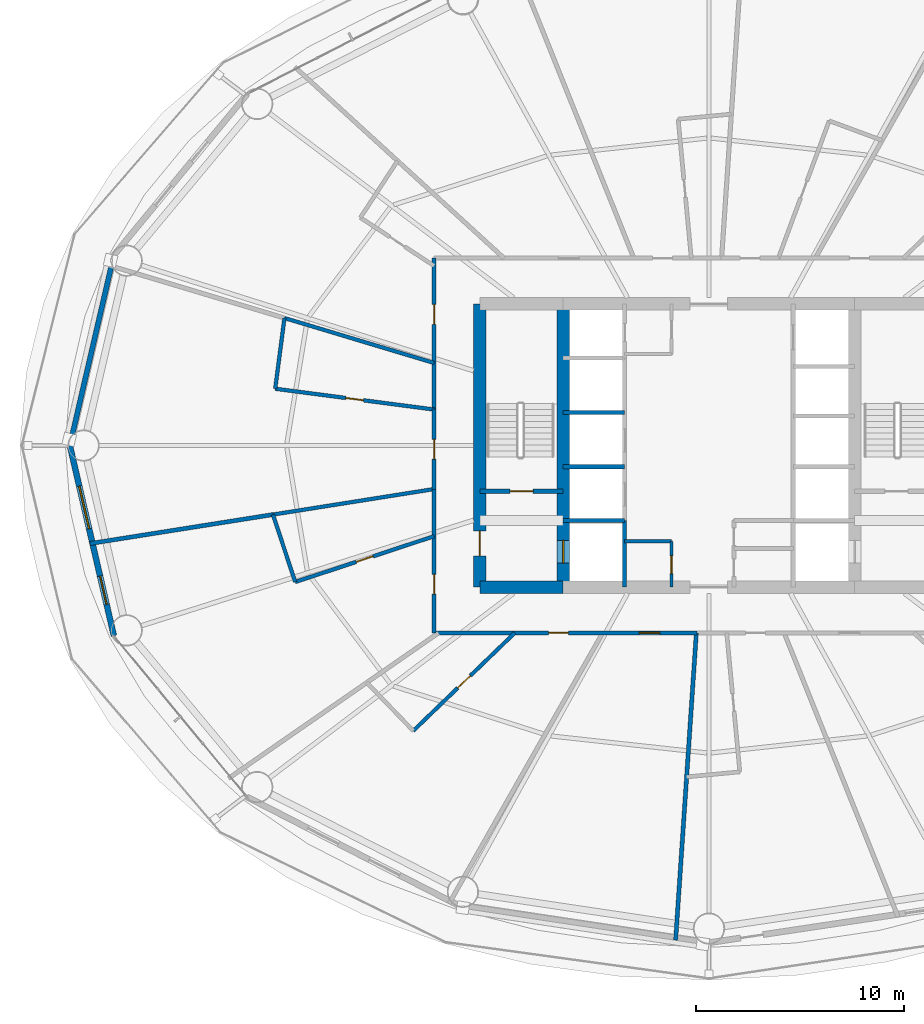
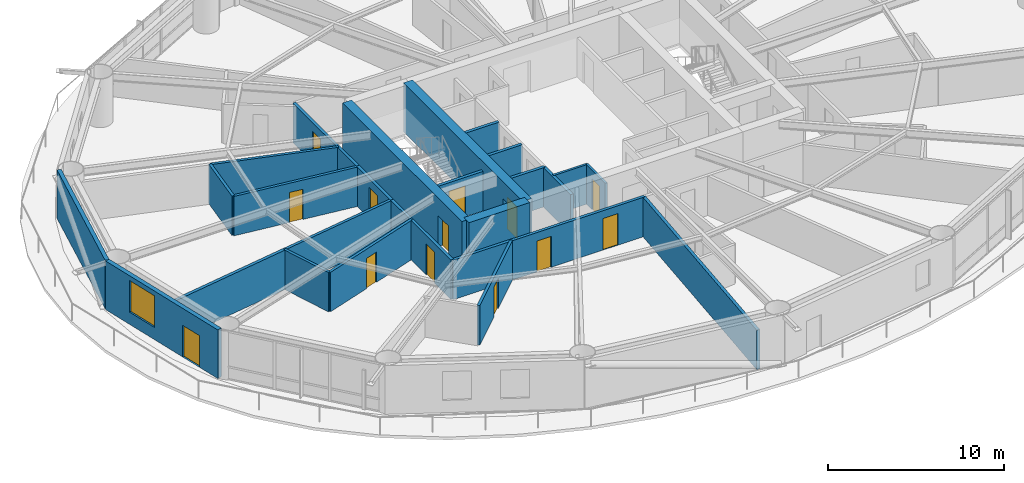
# One storey, part 20 of 26: 25 walls, 13 doors, 1 window, 14 openings.
"""IFC4 building model written with IfcOpenShell, lengths in metres."""

import ifcopenshell
import ifcopenshell.guid

model = None  # the IFC model being written
_history = None  # IfcOwnerHistory: only IFC2X3 demands one
_inside = {}  # id of a spatial element -> (the spatial element, [elements in it])
_under = {}  # id of a project, library or spatial element -> (it, [spatial elements below it])
_declared = {}  # id of a project -> (the project, [libraries it declares])
_typed = {}  # id of a type object -> (the type object, [elements of that type])
_made_of = {}  # id of a material, layer set ... -> (it, [elements and type objects made of it])


def new_model(schema):
    """Start an empty IFC model of exactly this schema.

    Asked for "IFC4X3", IfcOpenShell would pick the latest addendum, in which some entities
    have other attributes; the version numbers below select the first issue.
    IFC2X3 requires an IfcOwnerHistory on every rooted entity: one is made here for all.
    """
    global model, _history
    if schema == "IFC4X3":
        model = ifcopenshell.file(schema_version=(4, 3, 0, 0))
    else:
        model = ifcopenshell.file(schema=schema)
    _inside.clear()
    _under.clear()
    _declared.clear()
    _typed.clear()
    _made_of.clear()
    _history = None
    if model.schema == "IFC2X3":
        org = make("IfcOrganization", Name="unknown")
        user = make(
            "IfcPersonAndOrganization",
            ThePerson=make("IfcPerson", FamilyName="unknown"),
            TheOrganization=org,
        )
        app = make(
            "IfcApplication",
            ApplicationDeveloper=org,
            Version="unknown",
            ApplicationFullName="unknown",
            ApplicationIdentifier="unknown",
        )
        _history = make(
            "IfcOwnerHistory",
            OwningUser=user,
            OwningApplication=app,
            ChangeAction="ADDED",
            CreationDate=0,
        )
    return model


def make(cls, **values):
    """One entity of the class cls with the attributes given. An attribute that is None is left unset."""
    return model.create_entity(
        cls, **{name: value for name, value in values.items() if value is not None}
    )


def rooted(cls, **values):
    """An entity with a GlobalId (a new one), such as an element, a storey or a relation."""
    return make(cls, GlobalId=ifcopenshell.guid.new(), OwnerHistory=_history, **values)


def si_unit(unit_type, name, prefix=None):
    """IfcSIUnit, for example si_unit("LENGTHUNIT", "METRE", prefix="MILLI")."""
    return make("IfcSIUnit", UnitType=unit_type, Prefix=prefix, Name=name)


def assignment(units):
    """IfcUnitAssignment: the units of a project."""
    return None if units is None else make("IfcUnitAssignment", Units=units)


def point(xyz):
    """IfcCartesianPoint."""
    return None if xyz is None else make("IfcCartesianPoint", Coordinates=xyz)


def direction(xyz):
    """IfcDirection."""
    return None if xyz is None else make("IfcDirection", DirectionRatios=xyz)


def frame(location, z_axis=None, x_axis=None):
    """IfcAxis2Placement3D, a coordinate frame: its origin and axes. An axis left out is left unset."""
    return make(
        "IfcAxis2Placement3D",
        Location=point(location),
        Axis=direction(z_axis),
        RefDirection=direction(x_axis),
    )


def frame_2d(location, x_axis=None):
    """IfcAxis2Placement2D, a coordinate frame in the plane: its origin and x axis."""
    return make(
        "IfcAxis2Placement2D", Location=point(location), RefDirection=direction(x_axis)
    )


def origin():
    """The frame at (0, 0, 0) with its axes left unset."""
    return frame((0.0, 0.0, 0.0))


def place(relative_to, where):
    """IfcLocalPlacement: puts the frame where relative to a parent placement (None: the world)."""
    return make(
        "IfcLocalPlacement", PlacementRelTo=relative_to, RelativePlacement=where
    )


def context(
    kind, dimensions, precision=None, world=None, true_north=None, identifier=None
):
    """IfcGeometricRepresentationContext, for example the 3D "Model" context."""
    return make(
        "IfcGeometricRepresentationContext",
        ContextIdentifier=identifier,
        ContextType=kind,
        CoordinateSpaceDimension=dimensions,
        Precision=precision,
        WorldCoordinateSystem=world,
        TrueNorth=true_north,
    )


def subcontext(parent, identifier, kind, view, scale=None):
    """IfcGeometricRepresentationSubContext, for example "Body" below "Model"."""
    return make(
        "IfcGeometricRepresentationSubContext",
        ContextIdentifier=identifier,
        ContextType=kind,
        ParentContext=parent,
        TargetScale=scale,
        TargetView=view,
    )


def project(units=None, contexts=None):
    """IfcProject with its units and contexts."""
    return rooted(
        "IfcProject",
        Name="project",
        RepresentationContexts=contexts,
        UnitsInContext=assignment(units),
    )


def spatial(cls, under=None, at=None, **own):
    """A site, building, storey or space (cls), placed at a placement, below another one or the project."""
    s = rooted(cls, ObjectPlacement=at, **own)
    if under is not None:
        _under.setdefault(under.id(), (under, []))[1].append(s)
    return s


def profile(cls, at=None, kind="AREA", **sizes):
    """A parametric profile (cls). Its sizes go by their IFC names, for example OverallWidth=200.0."""
    return make(cls, ProfileType=kind, Position=at, **sizes)


def rectangle(**sizes):
    """IfcRectangleProfileDef."""
    return profile("IfcRectangleProfileDef", **sizes)


def extrude(swept, where, along, depth):
    """IfcExtrudedAreaSolid: the profile swept, set in the frame where, extruded along a direction by depth."""
    return make(
        "IfcExtrudedAreaSolid",
        SweptArea=swept,
        Position=where,
        ExtrudedDirection=direction(along),
        Depth=depth,
    )


def shape(context_of_items, identifier, shape_type, items):
    """IfcShapeRepresentation: the items that make up one representation, for example the "Body"."""
    return make(
        "IfcShapeRepresentation",
        ContextOfItems=context_of_items,
        RepresentationIdentifier=identifier,
        RepresentationType=shape_type,
        Items=items,
    )


def material(Name=None, Category=None):
    """IfcMaterial."""
    return make("IfcMaterial", Name=Name, Category=Category)


def layer(
    of_material, thickness, ventilated=None, Name=None, Category=None, Priority=None
):
    """IfcMaterialLayer: one layer of a wall or slab, of a material (None: an air gap)."""
    return make(
        "IfcMaterialLayer",
        Material=of_material,
        LayerThickness=thickness,
        IsVentilated=ventilated,
        Name=Name,
        Category=Category,
        Priority=Priority,
    )


def layer_set(layers, Name=None):
    """IfcMaterialLayerSet."""
    return make("IfcMaterialLayerSet", MaterialLayers=layers, LayerSetName=Name)


def made_of(thing, what):
    """Note that an element or type object is made of a material, layer set ...; save() writes the relation."""
    if what is not None:
        _made_of.setdefault(what.id(), (what, []))[1].append(thing)
    return thing


def type_object(cls, material=None, **own):
    """A type object (cls), such as IfcWallType, which elements share."""
    return made_of(rooted(cls, **own), material)


def element(
    cls,
    number,
    at=None,
    inside=None,
    cuts=None,
    type_object=None,
    material=None,
    context=None,
    identifier="Body",
    shape_type=None,
    held_by="IfcProductDefinitionShape",
    body=None,
    shapes=None,
    **own,
):
    """One element of the class cls, such as IfcWall. Its Tag is "e" and its number.

    at: its placement. inside: the storey or other place that contains it. cuts: it is an
    opening in that element (IfcRelVoidsElement). A single representation is given by context,
    identifier, shape_type and body (its items); several are given by shapes. held_by: the class
    of the entity that holds the representations. save() writes the other relations.
    """
    e = rooted(cls, Tag="e%d" % number, ObjectPlacement=at, **own)
    if body is not None:
        shapes = [shape(context, identifier, shape_type, body)]
    if shapes is not None:
        e.Representation = make(held_by, Representations=shapes)
    if inside is not None:
        _inside.setdefault(inside.id(), (inside, []))[1].append(e)
    if cuts is not None:
        rooted(
            "IfcRelVoidsElement", RelatingBuildingElement=cuts, RelatedOpeningElement=e
        )
    if type_object is not None:
        _typed.setdefault(type_object.id(), (type_object, []))[1].append(e)
    return made_of(e, material)


def fill(opening, filler):
    """IfcRelFillsElement: the door or window that sits in an opening."""
    return rooted(
        "IfcRelFillsElement",
        RelatingOpeningElement=opening,
        RelatedBuildingElement=filler,
    )


def aggregate(whole, parts):
    """IfcRelAggregates: a whole, such as a stair, and the parts it consists of."""
    return rooted("IfcRelAggregates", RelatingObject=whole, RelatedObjects=parts)


def save(model, path):
    """Write the relations noted so far, then the file.

    IfcRelAggregates (storeys below a building ...), IfcRelContainedInSpatialStructure (elements
    in a storey), IfcRelDefinesByType, IfcRelAssociatesMaterial and IfcRelDeclares: one each for
    every whole, place, type object, material and project.
    """
    for whole, parts in _under.values():
        aggregate(whole, parts)
    for where, things in _inside.values():
        rooted(
            "IfcRelContainedInSpatialStructure",
            RelatedElements=things,
            RelatingStructure=where,
        )
    for kind, things in _typed.values():
        rooted("IfcRelDefinesByType", RelatedObjects=things, RelatingType=kind)
    for what, things in _made_of.values():
        rooted("IfcRelAssociatesMaterial", RelatedObjects=things, RelatingMaterial=what)
    for by, libraries in _declared.values():
        rooted("IfcRelDeclares", RelatingContext=by, RelatedDefinitions=libraries)
    model.write(path)


model = new_model("IFC4")

# Units and contexts
model_context = context("Model", 3, precision=1e-05, world=origin(), true_north=direction((0.0, 1.0)))
body_context = subcontext(model_context, "Body", "Model", "MODEL_VIEW")
ifc_project = project(units=[si_unit("LENGTHUNIT", "METRE"), si_unit("AREAUNIT", "SQUARE_METRE"), si_unit("VOLUMEUNIT", "CUBIC_METRE"), si_unit("PLANEANGLEUNIT", "RADIAN"), si_unit("MASSUNIT", "GRAM", prefix="KILO")], contexts=[model_context])

# Site, building, storey
site_placement = place(None, origin())
site = spatial("IfcSite", under=ifc_project, at=site_placement, CompositionType="ELEMENT")
building_placement = place(site_placement, origin())
building = spatial("IfcBuilding", under=site, at=building_placement, Name="Sarneth Arch Tower", CompositionType="ELEMENT")
storey_placement = place(building_placement, frame((0.0, 0.0, 64.199951171875)))
storey = spatial("IfcBuildingStorey", under=building, at=storey_placement, Name="L15", CompositionType="ELEMENT", Elevation=64.199951171875)

# Wall
ifc_material_1 = material(Name="Concrete C60/75", Category="concrete")
ifc_layer_1 = layer(ifc_material_1, 0.60009765625)
ifc_layer_set_1 = layer_set([ifc_layer_1], Name="Concrete C60/75")
wall_type_1 = type_object("IfcWallType", Name="WALL-CORE-600", PredefinedType="SHEAR", material=ifc_layer_set_1)
wall_1_placement = place(storey_placement, frame((37.0, 35.199951171875, 0.0), z_axis=(0.0, 0.0, 1.0), x_axis=(1.0, 0.0, 0.0)))
element("IfcWall", 1, at=wall_1_placement, inside=storey, type_object=wall_type_1, Name="L15 Core shear wall S-W", PredefinedType="SHEAR", context=body_context, shape_type="SweptSolid", body=[
    extrude(rectangle(XDim=4.0, YDim=0.60009765625, at=frame_2d((2.0, 0.0))), origin(), (0.0, 0.0, 1.0), 3.380126953125),
])

# Wall, opening, door
wall_2_placement = place(storey_placement, frame((37.0, 35.199951171875, 0.0), z_axis=(0.0, 0.0, 1.0), x_axis=(0.0, 1.0, 0.0)))
wall_2 = element("IfcWall", 2, at=wall_2_placement, inside=storey, type_object=wall_type_1, Name="L15 Core shear wall W", PredefinedType="SHEAR", context=body_context, shape_type="SweptSolid", body=[
    extrude(rectangle(XDim=13.60009765625, YDim=0.60009765625, at=frame_2d((6.800048828125, 0.0))), origin(), (0.0, 0.0, 1.0), 3.380126953125),
])
opening_1_placement = place(wall_2_placement, frame((1.5, 0.0, 0.0)))
opening_1 = element("IfcOpeningElement", 3, at=opening_1_placement, cuts=wall_2, Name="Opening FD-02", PredefinedType="OPENING", context=body_context, shape_type="SweptSolid", body=[
    extrude(rectangle(XDim=1.199951171875, YDim=2.14990234375, at=frame_2d((0.60009765625, 1.074951171875))), frame((0.0, 0.31005859375, 0.0), z_axis=(0.0, -1.0, 0.0), x_axis=(1.0, 0.0, 0.0)), (0.0, 0.0, 1.0), 0.6201171875),
])
ifc_material_2 = material(Name="Galvanised Steel S275 fire door set", Category="steel")
door_type_1 = type_object("IfcDoorType", Name="DR-FD90-1200", OperationType="SINGLE_SWING_LEFT", PredefinedType="DOOR", material=ifc_material_2)
door_1_placement = place(opening_1_placement, origin())
door_1 = element("IfcDoor", 4, at=door_1_placement, inside=storey, type_object=door_type_1, Name="L15 Firefighting lobby 1 exit door", OperationType="SINGLE_SWING_LEFT", OverallHeight=2.14990234375, OverallWidth=1.199951171875, PredefinedType="DOOR", context=body_context, shape_type="SweptSolid", body=[
    extrude(rectangle(XDim=1.199951171875, YDim=2.14990234375, at=frame_2d((0.60009765625, 1.074951171875))), frame((0.0, 0.02490234375, 0.0), z_axis=(0.0, -1.0, 0.0), x_axis=(1.0, 0.0, 0.0)), (0.0, 0.0, 1.0), 0.050048828125),
])
fill(opening_1, door_1)

wall_3_placement = place(storey_placement, frame((41.0, 35.199951171875, 0.0), z_axis=(0.0, 0.0, 1.0), x_axis=(0.0, 1.0, 0.0)))
wall_3 = element("IfcWall", 5, at=wall_3_placement, inside=storey, type_object=wall_type_1, Name="L15 Core shear wall WEB-W", PredefinedType="SHEAR", context=body_context, shape_type="SweptSolid", body=[
    extrude(rectangle(XDim=13.60009765625, YDim=0.60009765625, at=frame_2d((6.800048828125, 0.0))), origin(), (0.0, 0.0, 1.0), 3.380126953125),
])
opening_2_placement = place(wall_3_placement, frame((1.14990234375, 0.0, 0.0)))
opening_2 = element("IfcOpeningElement", 6, at=opening_2_placement, cuts=wall_3, Name="Opening LD-1", PredefinedType="OPENING", context=body_context, shape_type="SweptSolid", body=[
    extrude(rectangle(XDim=1.10009765625, YDim=2.199951171875, at=frame_2d((0.550048828125, 1.10009765625))), frame((0.0, 0.31005859375, 0.0), z_axis=(0.0, -1.0, 0.0), x_axis=(1.0, 0.0, 0.0)), (0.0, 0.0, 1.0), 0.6201171875),
])
ifc_material_3 = material(Name="Brushed Stainless Steel 304 lift landing door", Category="steel")
door_type_2 = type_object("IfcDoorType", Name="DR-LIFT-SLIDE-1100", OperationType="SLIDING_TO_LEFT", PredefinedType="DOOR", material=ifc_material_3)
door_2_placement = place(opening_2_placement, origin())
door_2 = element("IfcDoor", 7, at=door_2_placement, inside=storey, type_object=door_type_2, Name="L15 Firefighting lift landing door FL-1", OperationType="SLIDING_TO_LEFT", OverallHeight=2.199951171875, OverallWidth=1.10009765625, PredefinedType="DOOR", context=body_context, shape_type="SweptSolid", body=[
    extrude(rectangle(XDim=1.10009765625, YDim=2.199951171875, at=frame_2d((0.550048828125, 1.10009765625))), frame((0.0, 0.02490234375, 0.0), z_axis=(0.0, -1.0, 0.0), x_axis=(1.0, 0.0, 0.0)), (0.0, 0.0, 1.0), 0.050048828125),
])
fill(opening_2, door_2)

ifc_material_4 = material(Name="Double steel-stud corridor fire wall", Category="steel")
ifc_layer_2 = layer(ifc_material_4, 0.18994140625)
ifc_layer_set_2 = layer_set([ifc_layer_2], Name="Double steel-stud corridor fire wall")
wall_type_2 = type_object("IfcWallType", Name="WALL-CORR-190", PredefinedType="PARTITIONING", material=ifc_layer_set_2)
wall_4_placement = place(storey_placement, frame((34.800048828125, 43.727783203125, 0.0), z_axis=(0.0, 0.0, 1.0), x_axis=(0.0, 1.0, 0.0)))
wall_4 = element("IfcWall", 8, at=wall_4_placement, inside=storey, type_object=wall_type_2, Name="L15 Interior partition W-L15-TP-010", PredefinedType="PARTITIONING", context=body_context, shape_type="SweptSolid", body=[
    extrude(rectangle(XDim=7.272216796875, YDim=0.18994140625, at=frame_2d((3.63623046875, 0.0))), origin(), (0.0, 0.0, 1.0), 2.739990234375),
])
opening_3_placement = place(wall_4_placement, frame((4.095703125, 0.0, 0.0)))
opening_3 = element("IfcOpeningElement", 9, at=opening_3_placement, cuts=wall_4, Name="Opening FD-09", PredefinedType="OPENING", context=body_context, shape_type="SweptSolid", body=[
    extrude(rectangle(XDim=0.949951171875, YDim=2.14990234375, at=frame_2d((0.47509765625, 1.074951171875))), frame((0.0, 0.10498046875, 0.0), z_axis=(0.0, -1.0, 0.0), x_axis=(1.0, 0.0, 0.0)), (0.0, 0.0, 1.0), 0.2099609375),
])
ifc_material_5 = material(Name="Hardwood timber hotel entrance fire door", Category="wood")
door_type_3 = type_object("IfcDoorType", Name="DR-FD60-950", OperationType="SINGLE_SWING_RIGHT", PredefinedType="DOOR", material=ifc_material_5)
door_3_placement = place(opening_3_placement, origin())
door_3 = element("IfcDoor", 10, at=door_3_placement, inside=storey, type_object=door_type_3, Name="L15 Interior door DR-L15-KEY-06", OperationType="SINGLE_SWING_RIGHT", OverallHeight=2.14990234375, OverallWidth=0.949951171875, PredefinedType="DOOR", context=body_context, shape_type="SweptSolid", body=[
    extrude(rectangle(XDim=0.949951171875, YDim=2.14990234375, at=frame_2d((0.47509765625, 1.074951171875))), frame((0.0, 0.02490234375, 0.0), z_axis=(0.0, -1.0, 0.0), x_axis=(1.0, 0.0, 0.0)), (0.0, 0.0, 1.0), 0.050048828125),
])
fill(opening_3, door_3)

wall_5_placement = place(storey_placement, frame((34.800048828125, 33.0, 0.0), z_axis=(0.0, 0.0, 1.0), x_axis=(0.0, 1.0, 0.0)))
wall_5 = element("IfcWall", 11, at=wall_5_placement, inside=storey, type_object=wall_type_2, Name="L15 Interior partition W-L15-TP-016", PredefinedType="PARTITIONING", context=body_context, shape_type="SweptSolid", body=[
    extrude(rectangle(XDim=6.941650390625, YDim=0.18994140625, at=frame_2d((3.470703125, 0.0))), origin(), (0.0, 0.0, 1.0), 2.739990234375),
])
opening_4_placement = place(wall_5_placement, frame((1.864501953125, 0.0, 0.0)))
opening_4 = element("IfcOpeningElement", 12, at=opening_4_placement, cuts=wall_5, Name="Opening FD-09", PredefinedType="OPENING", context=body_context, shape_type="SweptSolid", body=[
    extrude(rectangle(XDim=0.949951171875, YDim=2.14990234375, at=frame_2d((0.47509765625, 1.074951171875))), frame((0.0, 0.10498046875, 0.0), z_axis=(0.0, -1.0, 0.0), x_axis=(1.0, 0.0, 0.0)), (0.0, 0.0, 1.0), 0.2099609375),
])
door_4_placement = place(opening_4_placement, origin())
door_4 = element("IfcDoor", 13, at=door_4_placement, inside=storey, type_object=door_type_3, Name="L15 Interior door DR-L15-KEY-08", OperationType="SINGLE_SWING_LEFT", OverallHeight=2.14990234375, OverallWidth=0.949951171875, PredefinedType="DOOR", context=body_context, shape_type="SweptSolid", body=[
    extrude(rectangle(XDim=0.949951171875, YDim=2.14990234375, at=frame_2d((0.47509765625, 1.074951171875))), frame((0.0, 0.02490234375, 0.0), z_axis=(0.0, -1.0, 0.0), x_axis=(1.0, 0.0, 0.0)), (0.0, 0.0, 1.0), 0.050048828125),
])
fill(opening_4, door_4)

# Wall, openings, doors
wall_6_placement = place(storey_placement, frame((47.42529296875, 33.0, 0.0), z_axis=(0.0, 0.0, 1.0), x_axis=(-1.0, 0.0, 0.0)))
wall_6 = element("IfcWall", 14, at=wall_6_placement, inside=storey, type_object=wall_type_2, Name="L15 Interior partition W-L15-TP-020", PredefinedType="PARTITIONING", context=body_context, shape_type="SweptSolid", body=[
    extrude(rectangle(XDim=12.625244140625, YDim=0.18994140625, at=frame_2d((6.3125, 0.0))), origin(), (0.0, 0.0, 1.0), 2.739990234375),
])
opening_5_placement = place(wall_6_placement, frame((1.784423828125, 0.0, 0.0)))
opening_5 = element("IfcOpeningElement", 15, at=opening_5_placement, cuts=wall_6, Name="Opening FD-08", PredefinedType="OPENING", context=body_context, shape_type="SweptSolid", body=[
    extrude(rectangle(XDim=1.0, YDim=2.199951171875, at=frame_2d((0.5, 1.10009765625))), frame((0.0, 0.10498046875, 0.0), z_axis=(0.0, -1.0, 0.0), x_axis=(1.0, 0.0, 0.0)), (0.0, 0.0, 1.0), 0.2099609375),
])
opening_6_placement = place(wall_6_placement, frame((6.1728515625, 0.0, 0.0)))
opening_6 = element("IfcOpeningElement", 16, at=opening_6_placement, cuts=wall_6, Name="Opening FD-09", PredefinedType="OPENING", context=body_context, shape_type="SweptSolid", body=[
    extrude(rectangle(XDim=0.949951171875, YDim=2.14990234375, at=frame_2d((0.47509765625, 1.074951171875))), frame((0.0, 0.10498046875, 0.0), z_axis=(0.0, -1.0, 0.0), x_axis=(1.0, 0.0, 0.0)), (0.0, 0.0, 1.0), 0.2099609375),
])
ifc_material_6 = material(Name="Hardwood timber acoustic fire door", Category="wood")
door_type_4 = type_object("IfcDoorType", Name="DR-FD60-1000", OperationType="SINGLE_SWING_LEFT", PredefinedType="DOOR", material=ifc_material_6)
door_5_placement = place(opening_5_placement, origin())
door_5 = element("IfcDoor", 17, at=door_5_placement, inside=storey, type_object=door_type_4, Name="L15 Interior door DR-L15-AMN-10", OperationType="SINGLE_SWING_RIGHT", OverallHeight=2.199951171875, OverallWidth=1.0, PredefinedType="DOOR", context=body_context, shape_type="SweptSolid", body=[
    extrude(rectangle(XDim=1.0, YDim=2.199951171875, at=frame_2d((0.5, 1.10009765625))), frame((0.0, 0.02490234375, 0.0), z_axis=(0.0, -1.0, 0.0), x_axis=(1.0, 0.0, 0.0)), (0.0, 0.0, 1.0), 0.050048828125),
])
fill(opening_5, door_5)
door_6_placement = place(opening_6_placement, origin())
door_6 = element("IfcDoor", 18, at=door_6_placement, inside=storey, type_object=door_type_3, Name="L15 Interior door DR-L15-KEY-09", OperationType="SINGLE_SWING_RIGHT", OverallHeight=2.14990234375, OverallWidth=0.949951171875, PredefinedType="DOOR", context=body_context, shape_type="SweptSolid", body=[
    extrude(rectangle(XDim=0.949951171875, YDim=2.14990234375, at=frame_2d((0.47509765625, 1.074951171875))), frame((0.0, 0.02490234375, 0.0), z_axis=(0.0, -1.0, 0.0), x_axis=(1.0, 0.0, 0.0)), (0.0, 0.0, 1.0), 0.050048828125),
])
fill(opening_6, door_6)

# Wall, opening, door
wall_7_placement = place(storey_placement, frame((34.800048828125, 39.876953125, 0.0), z_axis=(0.0, 0.0, 1.0), x_axis=(0.0, 1.0, 0.0)))
wall_7 = element("IfcWall", 19, at=wall_7_placement, inside=storey, type_object=wall_type_2, Name="L15 Interior partition W-L15-TP-013", PredefinedType="PARTITIONING", context=body_context, shape_type="SweptSolid", body=[
    extrude(rectangle(XDim=3.883056640625, YDim=0.18994140625, at=frame_2d((1.94140625, 0.0))), origin(), (0.0, 0.0, 1.0), 2.739990234375),
])
opening_7_placement = place(wall_7_placement, frame((1.466552734375, 0.0, 0.0)))
opening_7 = element("IfcOpeningElement", 20, at=opening_7_placement, cuts=wall_7, Name="Opening FD-09", PredefinedType="OPENING", context=body_context, shape_type="SweptSolid", body=[
    extrude(rectangle(XDim=0.949951171875, YDim=2.14990234375, at=frame_2d((0.47509765625, 1.074951171875))), frame((0.0, 0.10498046875, 0.0), z_axis=(0.0, -1.0, 0.0), x_axis=(1.0, 0.0, 0.0)), (0.0, 0.0, 1.0), 0.2099609375),
])
door_7_placement = place(opening_7_placement, origin())
door_7 = element("IfcDoor", 21, at=door_7_placement, inside=storey, type_object=door_type_3, Name="L15 Interior door DR-L15-KEY-07", OperationType="SINGLE_SWING_LEFT", OverallHeight=2.14990234375, OverallWidth=0.949951171875, PredefinedType="DOOR", context=body_context, shape_type="SweptSolid", body=[
    extrude(rectangle(XDim=0.949951171875, YDim=2.14990234375, at=frame_2d((0.47509765625, 1.074951171875))), frame((0.0, 0.02490234375, 0.0), z_axis=(0.0, -1.0, 0.0), x_axis=(1.0, 0.0, 0.0)), (0.0, 0.0, 1.0), 0.050048828125),
])
fill(opening_7, door_7)

# Wall
ifc_material_7 = material(Name="Extruded terracotta rainscreen on Concrete C40/50 backing", Category="masonry")
ifc_layer_3 = layer(ifc_material_7, 0.25)
ifc_layer_set_3 = layer_set([ifc_layer_3], Name="Extruded terracotta rainscreen on Concrete C40/50 backing")
wall_type_3 = type_object("IfcWallType", Name="WALL-EXT-SPAND-250", PredefinedType="SOLIDWALL", material=ifc_layer_set_3)
wall_8_placement = place(storey_placement, frame((19.4189453125, 51.138427734375, 0.0), z_axis=(0.0, 0.0, 1.0), x_axis=(-0.225454452941, -0.974253709076, 0.0)))
element("IfcWall", 22, at=wall_8_placement, inside=storey, type_object=wall_type_3, Name="L15 Terracotta perimeter wall 08", PredefinedType="SOLIDWALL", context=body_context, shape_type="SweptSolid", body=[
    extrude(rectangle(XDim=9.3798828125, YDim=0.25, at=frame_2d((4.68994140625, 0.0))), origin(), (0.0, 0.0, 1.0), 3.380126953125),
])

# Wall, openings, door, window
ifc_material_8 = material(Name="Extruded terracotta rainscreen on Concrete C40/50 backing", Category="masonry")
ifc_layer_4 = layer(ifc_material_8, 0.280029296875)
ifc_layer_set_4 = layer_set([ifc_layer_4], Name="Extruded terracotta rainscreen on Concrete C40/50 backing")
wall_type_4 = type_object("IfcWallType", Name="WALL-EXT-TERRA-280", PredefinedType="SOLIDWALL", material=ifc_layer_set_4)
wall_9_placement = place(storey_placement, frame((17.30419921875, 42.0, 0.0), z_axis=(0.0, 0.0, 1.0), x_axis=(0.225454452941, -0.974253709076, 0.0)))
wall_9 = element("IfcWall", 23, at=wall_9_placement, inside=storey, type_object=wall_type_4, Name="L15 Terracotta perimeter wall 09", PredefinedType="SOLIDWALL", context=body_context, shape_type="SweptSolid", body=[
    extrude(rectangle(XDim=9.3798828125, YDim=0.280029296875, at=frame_2d((4.68994140625, 0.0))), origin(), (0.0, 0.0, 1.0), 3.380126953125),
])
opening_8_placement = place(wall_9_placement, frame((2.002197265625, 0.0, 0.85009765625)))
opening_8 = element("IfcOpeningElement", 24, at=opening_8_placement, cuts=wall_9, Name="Opening W-03", PredefinedType="OPENING", context=body_context, shape_type="SweptSolid", body=[
    extrude(rectangle(XDim=2.10009765625, YDim=2.199951171875, at=frame_2d((1.050048828125, 1.10009765625))), frame((0.0, 0.14990234375, 0.0), z_axis=(0.0, -1.0, 0.0), x_axis=(1.0, 0.0, 0.0)), (0.0, 0.0, 1.0), 0.300048828125),
])
opening_9_placement = place(wall_9_placement, frame((6.435302734375, 0.0, 0.0)))
opening_9 = element("IfcOpeningElement", 25, at=opening_9_placement, cuts=wall_9, Name="Opening BD-2", PredefinedType="OPENING", context=body_context, shape_type="SweptSolid", body=[
    extrude(rectangle(XDim=1.39990234375, YDim=2.199951171875, at=frame_2d((0.699951171875, 1.10009765625))), frame((0.0, 0.14990234375, 0.0), z_axis=(0.0, -1.0, 0.0), x_axis=(1.0, 0.0, 0.0)), (0.0, 0.0, 1.0), 0.300048828125),
])
ifc_material_9 = material(Name="Thermally broken Aluminium 6063-T6 and laminated safety glass", Category="aluminium")
door_type_5 = type_object("IfcDoorType", Name="DR-BALC-GLZ-1400", OperationType="SINGLE_SWING_LEFT", PredefinedType="DOOR", material=ifc_material_9)
door_8_placement = place(opening_9_placement, origin())
door_8 = element("IfcDoor", 26, at=door_8_placement, inside=storey, type_object=door_type_5, Name="L15 Balcony glazed door 09", OperationType="SINGLE_SWING_LEFT", OverallHeight=2.199951171875, OverallWidth=1.39990234375, PredefinedType="DOOR", context=body_context, shape_type="SweptSolid", body=[
    extrude(rectangle(XDim=1.39990234375, YDim=2.199951171875, at=frame_2d((0.699951171875, 1.10009765625))), frame((0.0, 0.02490234375, 0.0), z_axis=(0.0, -1.0, 0.0), x_axis=(1.0, 0.0, 0.0)), (0.0, 0.0, 1.0), 0.050048828125),
])
fill(opening_9, door_8)
ifc_material_10 = material(Name="Thermally broken Aluminium 6063-T6 and low-e laminated IGU", Category="aluminium")
window_type = type_object("IfcWindowType", Name="WIN-TWR-2100x2200", PartitioningType="DOUBLE_PANEL_VERTICAL", PredefinedType="WINDOW", material=ifc_material_10)
window_placement = place(opening_8_placement, origin())
window = element("IfcWindow", 27, at=window_placement, inside=storey, type_object=window_type, Name="L15 Exterior window 09A", OverallHeight=2.199951171875, OverallWidth=2.10009765625, PartitioningType="SINGLE_PANEL", PredefinedType="WINDOW", context=body_context, shape_type="SweptSolid", body=[
    extrude(rectangle(XDim=2.10009765625, YDim=2.199951171875, at=frame_2d((1.050048828125, 1.10009765625))), frame((0.0, 0.030029296875, 0.0), z_axis=(0.0, -1.0, 0.0), x_axis=(1.0, 0.0, 0.0)), (0.0, 0.0, 1.0), 0.06005859375),
])
fill(opening_8, window)

# Wall
ifc_material_11 = material(Name="Acoustic gypsum stud partition", Category="gypsum")
ifc_layer_5 = layer(ifc_material_11, 0.14990234375)
ifc_layer_set_5 = layer_set([ifc_layer_5], Name="Acoustic gypsum stud partition")
wall_type_5 = type_object("IfcWallType", Name="WALL-PART-150", PredefinedType="PARTITIONING", material=ifc_layer_set_5)
wall_10_placement = place(storey_placement, frame((43.949951171875, 37.39990234375, 0.0), z_axis=(0.0, 0.0, 1.0), x_axis=(1.0, 0.0, 0.0)))
element("IfcWall", 28, at=wall_10_placement, inside=storey, type_object=wall_type_5, Name="L15 Interior partition W-L15-CSUP1-N", PredefinedType="PARTITIONING", context=body_context, shape_type="SweptSolid", body=[
    extrude(rectangle(XDim=2.25, YDim=0.14990234375, at=frame_2d((1.125, 0.0))), origin(), (0.0, 0.0, 1.0), 2.739990234375),
])

# Wall, opening, door
wall_11_placement = place(storey_placement, frame((46.199951171875, 35.199951171875, 0.0), z_axis=(0.0, 0.0, 1.0), x_axis=(0.0, 1.0, 0.0)))
wall_11 = element("IfcWall", 29, at=wall_11_placement, inside=storey, type_object=wall_type_5, Name="L15 Interior partition W-L15-CSUP1-E", PredefinedType="PARTITIONING", context=body_context, shape_type="SweptSolid", body=[
    extrude(rectangle(XDim=2.199951171875, YDim=0.14990234375, at=frame_2d((1.10009765625, 0.0))), origin(), (0.0, 0.0, 1.0), 2.739990234375),
])
opening_10_placement = place(wall_11_placement, frame((0.64990234375, 0.0, 0.0)))
opening_10 = element("IfcOpeningElement", 30, at=opening_10_placement, cuts=wall_11, Name="Opening FD-11", PredefinedType="OPENING", context=body_context, shape_type="SweptSolid", body=[
    extrude(rectangle(XDim=0.85009765625, YDim=2.14990234375, at=frame_2d((0.425048828125, 1.074951171875))), frame((0.0, 0.0849609375, 0.0), z_axis=(0.0, -1.0, 0.0), x_axis=(1.0, 0.0, 0.0)), (0.0, 0.0, 1.0), 0.169921875),
])
ifc_material_12 = material(Name="Galvanised Steel S275 closet fire door", Category="steel")
door_type_6 = type_object("IfcDoorType", Name="DR-FD60-850", OperationType="SINGLE_SWING_LEFT", PredefinedType="DOOR", material=ifc_material_12)
door_9_placement = place(opening_10_placement, origin())
door_9 = element("IfcDoor", 31, at=door_9_placement, inside=storey, type_object=door_type_6, Name="L15 Interior door DR-L15-CSUP1", OperationType="SINGLE_SWING_LEFT", OverallHeight=2.14990234375, OverallWidth=0.85009765625, PredefinedType="DOOR", context=body_context, shape_type="SweptSolid", body=[
    extrude(rectangle(XDim=0.85009765625, YDim=2.14990234375, at=frame_2d((0.425048828125, 1.074951171875))), frame((0.0, 0.02490234375, 0.0), z_axis=(0.0, -1.0, 0.0), x_axis=(1.0, 0.0, 0.0)), (0.0, 0.0, 1.0), 0.050048828125),
])
fill(opening_10, door_9)

# Wall
ifc_material_13 = material(Name="Moisture-resistant plumbing chase wall", Category="gypsum")
ifc_layer_6 = layer(ifc_material_13, 0.179931640625)
ifc_layer_set_6 = layer_set([ifc_layer_6], Name="Moisture-resistant plumbing chase wall")
wall_type_6 = type_object("IfcWallType", Name="WALL-PLUMB-180", PredefinedType="PLUMBINGWALL", material=ifc_layer_set_6)
wall_12_placement = place(storey_placement, frame((27.059814453125, 38.683349609375, 0.0), z_axis=(0.0, 0.0, 1.0), x_axis=(0.987690363599, 0.156421691762, 0.0)))
element("IfcWall", 32, at=wall_12_placement, inside=storey, type_object=wall_type_6, Name="L15 Interior partition W-L15-TP-052", PredefinedType="PLUMBINGWALL", context=body_context, shape_type="SweptSolid", body=[
    extrude(rectangle(XDim=7.836669921875, YDim=0.179931640625, at=frame_2d((3.91845703125, 0.0))), origin(), (0.0, 0.0, 1.0), 2.739990234375),
])

# Wall, opening, door
wall_13_placement = place(storey_placement, frame((34.800048828125, 43.727783203125, 0.0), z_axis=(0.0, 0.0, 1.0), x_axis=(-0.991543548491, 0.129774386708, 0.0)))
wall_13 = element("IfcWall", 33, at=wall_13_placement, inside=storey, type_object=wall_type_6, Name="L15 Interior partition W-L15-TP-049", PredefinedType="PLUMBINGWALL", context=body_context, shape_type="SweptSolid", body=[
    extrude(rectangle(XDim=7.6982421875, YDim=0.179931640625, at=frame_2d((3.84912109375, 0.0))), origin(), (0.0, 0.0, 1.0), 2.739990234375),
])
opening_11_placement = place(wall_13_placement, frame((3.424072265625, 0.0, 0.0)))
opening_11 = element("IfcOpeningElement", 34, at=opening_11_placement, cuts=wall_13, Name="Opening ID-02", PredefinedType="OPENING", context=body_context, shape_type="SweptSolid", body=[
    extrude(rectangle(XDim=0.85009765625, YDim=2.10009765625, at=frame_2d((0.425048828125, 1.050048828125))), frame((0.0, 0.099853515625, 0.0), z_axis=(0.0, -1.0, 0.0), x_axis=(1.0, 0.0, 0.0)), (0.0, 0.0, 1.0), 0.199951171875),
])
ifc_material_14 = material(Name="Moisture-resistant bathroom timber door", Category="wood")
door_type_7 = type_object("IfcDoorType", Name="DR-INT-850", OperationType="SINGLE_SWING_RIGHT", PredefinedType="DOOR", material=ifc_material_14)
door_10_placement = place(opening_11_placement, origin())
door_10 = element("IfcDoor", 35, at=door_10_placement, inside=storey, type_object=door_type_7, Name="L15 Interior door DR-L15-ENS-07", OperationType="SINGLE_SWING_LEFT", OverallHeight=2.10009765625, OverallWidth=0.85009765625, PredefinedType="DOOR", context=body_context, shape_type="SweptSolid", body=[
    extrude(rectangle(XDim=0.85009765625, YDim=2.10009765625, at=frame_2d((0.425048828125, 1.050048828125))), frame((0.0, 0.02490234375, 0.0), z_axis=(0.0, -1.0, 0.0), x_axis=(1.0, 0.0, 0.0)), (0.0, 0.0, 1.0), 0.050048828125),
])
fill(opening_11, door_10)

# Wall
wall_14_placement = place(storey_placement, frame((27.611572265625, 48.122314453125, 0.0), z_axis=(0.0, 0.0, 1.0), x_axis=(0.95775642604, -0.28758064674, 0.0)))
element("IfcWall", 36, at=wall_14_placement, inside=storey, type_object=wall_type_6, Name="L15 Interior partition W-L15-TP-048", PredefinedType="PLUMBINGWALL", context=body_context, shape_type="SweptSolid", body=[
    extrude(rectangle(XDim=7.505615234375, YDim=0.179931640625, at=frame_2d((3.7529296875, 0.0))), origin(), (0.0, 0.0, 1.0), 2.739990234375),
])

# Wall, opening, door
wall_15_placement = place(storey_placement, frame((34.800048828125, 37.6455078125, 0.0), z_axis=(0.0, 0.0, 1.0), x_axis=(-0.949662150081, -0.313275917849, 0.0)))
wall_15 = element("IfcWall", 37, at=wall_15_placement, inside=storey, type_object=wall_type_6, Name="L15 Interior partition W-L15-TP-053", PredefinedType="PLUMBINGWALL", context=body_context, shape_type="SweptSolid", body=[
    extrude(rectangle(XDim=7.025634765625, YDim=0.179931640625, at=frame_2d((3.5126953125, 0.0))), origin(), (0.0, 0.0, 1.0), 2.739990234375),
])
opening_12_placement = place(wall_15_placement, frame((3.087646484375, 0.0, 0.0)))
opening_12 = element("IfcOpeningElement", 38, at=opening_12_placement, cuts=wall_15, Name="Opening ID-02", PredefinedType="OPENING", context=body_context, shape_type="SweptSolid", body=[
    extrude(rectangle(XDim=0.85009765625, YDim=2.10009765625, at=frame_2d((0.425048828125, 1.050048828125))), frame((0.0, 0.099853515625, 0.0), z_axis=(0.0, -1.0, 0.0), x_axis=(1.0, 0.0, 0.0)), (0.0, 0.0, 1.0), 0.199951171875),
])
door_11_placement = place(opening_12_placement, origin())
door_11 = element("IfcDoor", 39, at=door_11_placement, inside=storey, type_object=door_type_7, Name="L15 Interior door DR-L15-ENS-08", OperationType="SINGLE_SWING_LEFT", OverallHeight=2.10009765625, OverallWidth=0.85009765625, PredefinedType="DOOR", context=body_context, shape_type="SweptSolid", body=[
    extrude(rectangle(XDim=0.85009765625, YDim=2.10009765625, at=frame_2d((0.425048828125, 1.050048828125))), frame((0.0, 0.02490234375, 0.0), z_axis=(0.0, -1.0, 0.0), x_axis=(1.0, 0.0, 0.0)), (0.0, 0.0, 1.0), 0.050048828125),
])
fill(opening_12, door_11)

wall_16_placement = place(storey_placement, frame((33.798095703125, 28.298828125, 0.0), z_axis=(0.0, 0.0, 1.0), x_axis=(0.719667322044, 0.69431905172, 0.0)))
wall_16 = element("IfcWall", 40, at=wall_16_placement, inside=storey, type_object=wall_type_6, Name="L15 Interior partition W-L15-TP-058", PredefinedType="PLUMBINGWALL", context=body_context, shape_type="SweptSolid", body=[
    extrude(rectangle(XDim=6.77099609375, YDim=0.179931640625, at=frame_2d((3.385498046875, 0.0))), origin(), (0.0, 0.0, 1.0), 2.739990234375),
])
opening_13_placement = place(wall_16_placement, frame((2.96044921875, 0.0, 0.0)))
opening_13 = element("IfcOpeningElement", 41, at=opening_13_placement, cuts=wall_16, Name="Opening ID-02", PredefinedType="OPENING", context=body_context, shape_type="SweptSolid", body=[
    extrude(rectangle(XDim=0.85009765625, YDim=2.10009765625, at=frame_2d((0.425048828125, 1.050048828125))), frame((0.0, 0.099853515625, 0.0), z_axis=(0.0, -1.0, 0.0), x_axis=(1.0, 0.0, 0.0)), (0.0, 0.0, 1.0), 0.199951171875),
])
door_12_placement = place(opening_13_placement, origin())
door_12 = element("IfcDoor", 42, at=door_12_placement, inside=storey, type_object=door_type_7, Name="L15 Interior door DR-L15-ENS-09", OperationType="SINGLE_SWING_LEFT", OverallHeight=2.10009765625, OverallWidth=0.85009765625, PredefinedType="DOOR", context=body_context, shape_type="SweptSolid", body=[
    extrude(rectangle(XDim=0.85009765625, YDim=2.10009765625, at=frame_2d((0.425048828125, 1.050048828125))), frame((0.0, 0.02490234375, 0.0), z_axis=(0.0, -1.0, 0.0), x_axis=(1.0, 0.0, 0.0)), (0.0, 0.0, 1.0), 0.050048828125),
])
fill(opening_13, door_12)

# Walls
wall_17_placement = place(storey_placement, frame((27.1669921875, 44.726806640625, 0.0), z_axis=(0.0, 0.0, 1.0), x_axis=(0.129823772588, 0.991537083558, 0.0)))
element("IfcWall", 43, at=wall_17_placement, inside=storey, type_object=wall_type_6, Name="L15 Interior partition W-L15-TP-050", PredefinedType="PLUMBINGWALL", context=body_context, shape_type="SweptSolid", body=[
    extrude(rectangle(XDim=3.424560546875, YDim=0.179931640625, at=frame_2d((1.71240234375, 0.0))), origin(), (0.0, 0.0, 1.0), 2.739990234375),
])
wall_18_placement = place(storey_placement, frame((28.128173828125, 35.444580078125, 0.0), z_axis=(0.0, 0.0, 1.0), x_axis=(-0.313262541659, 0.949666562533, 0.0)))
element("IfcWall", 44, at=wall_18_placement, inside=storey, type_object=wall_type_6, Name="L15 Interior partition W-L15-TP-054", PredefinedType="PLUMBINGWALL", context=body_context, shape_type="SweptSolid", body=[
    extrude(rectangle(XDim=3.410400390625, YDim=0.179931640625, at=frame_2d((1.705078125, 0.0))), origin(), (0.0, 0.0, 1.0), 2.739990234375),
])

# Wall, opening, door
ifc_material_15 = material(Name="Aerated concrete blockwork C25/30", Category="masonry")
ifc_layer_7 = layer(ifc_material_15, 0.199951171875)
ifc_layer_set_7 = layer_set([ifc_layer_7], Name="Aerated concrete blockwork C25/30")
wall_type_7 = type_object("IfcWallType", Name="WALL-SHAFT-200", PredefinedType="SOLIDWALL", material=ifc_layer_set_7)
wall_19_placement = place(storey_placement, frame((37.0, 39.800048828125, 0.0), z_axis=(0.0, 0.0, 1.0), x_axis=(1.0, 0.0, 0.0)))
wall_19 = element("IfcWall", 45, at=wall_19_placement, inside=storey, type_object=wall_type_7, Name="L15 Interior partition W-L15-ST1-S", PredefinedType="SOLIDWALL", context=body_context, shape_type="SweptSolid", body=[
    extrude(rectangle(XDim=4.0, YDim=0.199951171875, at=frame_2d((2.0, 0.0))), origin(), (0.0, 0.0, 1.0), 2.739990234375),
])
opening_14_placement = place(wall_19_placement, frame((1.449951171875, 0.0, 0.0)))
opening_14 = element("IfcOpeningElement", 46, at=opening_14_placement, cuts=wall_19, Name="Opening FD-03", PredefinedType="OPENING", context=body_context, shape_type="SweptSolid", body=[
    extrude(rectangle(XDim=1.10009765625, YDim=2.14990234375, at=frame_2d((0.550048828125, 1.074951171875))), frame((0.0, 0.10986328125, 0.0), z_axis=(0.0, -1.0, 0.0), x_axis=(1.0, 0.0, 0.0)), (0.0, 0.0, 1.0), 0.219970703125),
])
ifc_material_16 = material(Name="Galvanised Steel S275 fire door set", Category="steel")
door_type_8 = type_object("IfcDoorType", Name="DR-FD90-1100", OperationType="SINGLE_SWING_LEFT", PredefinedType="DOOR", material=ifc_material_16)
door_13_placement = place(opening_14_placement, origin())
door_13 = element("IfcDoor", 47, at=door_13_placement, inside=storey, type_object=door_type_8, Name="L15 Interior door DR-L15-ST1", OperationType="SINGLE_SWING_LEFT", OverallHeight=2.14990234375, OverallWidth=1.10009765625, PredefinedType="DOOR", context=body_context, shape_type="SweptSolid", body=[
    extrude(rectangle(XDim=1.10009765625, YDim=2.14990234375, at=frame_2d((0.550048828125, 1.074951171875))), frame((0.0, 0.02490234375, 0.0), z_axis=(0.0, -1.0, 0.0), x_axis=(1.0, 0.0, 0.0)), (0.0, 0.0, 1.0), 0.050048828125),
])
fill(opening_14, door_13)

# Walls
wall_20_placement = place(storey_placement, frame((43.949951171875, 35.199951171875, 0.0), z_axis=(0.0, 0.0, 1.0), x_axis=(0.0, 1.0, 0.0)))
element("IfcWall", 48, at=wall_20_placement, inside=storey, type_object=wall_type_7, Name="L15 Interior partition W-L15-FL1-E", PredefinedType="SOLIDWALL", context=body_context, shape_type="SweptSolid", body=[
    extrude(rectangle(XDim=3.199951171875, YDim=0.199951171875, at=frame_2d((1.60009765625, 0.0))), origin(), (0.0, 0.0, 1.0), 2.739990234375),
])
for number, where, z_axis, x_axis, name in (
    (49, (41.0, 38.39990234375, 0.0), (0.0, 0.0, 1.0), (1.0, 0.0, 0.0), "L15 Interior partition W-L15-FL1-N"),
    (50, (41.0, 40.97998046875, 0.0), (0.0, 0.0, 1.0), (1.0, 0.0, 0.0), "L15 Interior partition W-L15-WB-DIV-4098"),
    (51, (41.0, 43.580078125, 0.0), (0.0, 0.0, 1.0), (1.0, 0.0, 0.0), "L15 Interior partition W-L15-WB-DIV-4358"),
):
    element("IfcWall", number, at=place(storey_placement, frame(where, z_axis=z_axis, x_axis=x_axis)), inside=storey, type_object=wall_type_7, Name=name, PredefinedType="SOLIDWALL", context=body_context, shape_type="SweptSolid", body=[
        extrude(rectangle(XDim=2.949951171875, YDim=0.199951171875, at=frame_2d((1.47509765625, 0.0))), origin(), (0.0, 0.0, 1.0), 2.739990234375),
    ])
ifc_material_17 = material(Name="Double steel-stud acoustic drywall", Category="steel")
ifc_layer_8 = layer(ifc_material_17, 0.199951171875)
ifc_layer_set_8 = layer_set([ifc_layer_8], Name="Double steel-stud acoustic drywall")
wall_type_8 = type_object("IfcWallType", Name="WALL-UNIT-200", PredefinedType="PARTITIONING", material=ifc_layer_set_8)
wall_21_placement = place(storey_placement, frame((18.27099609375, 37.29150390625, 0.0), z_axis=(0.0, 0.0, 1.0), x_axis=(0.987691229297, 0.156416225401, 0.0)))
element("IfcWall", 52, at=wall_21_placement, inside=storey, type_object=wall_type_8, Name="L15 Interior partition W-L15-TP-051", PredefinedType="PARTITIONING", context=body_context, shape_type="SweptSolid", body=[
    extrude(rectangle(XDim=8.8984375, YDim=0.199951171875, at=frame_2d((4.44921875, 0.0))), origin(), (0.0, 0.0, 1.0), 2.739990234375),
])
wall_22_placement = place(storey_placement, frame((47.393310546875, 33.0, 0.0), z_axis=(0.0, 0.0, 1.0), x_axis=(-0.067284649742, -0.997733820169, 0.0)))
element("IfcWall", 53, at=wall_22_placement, inside=storey, type_object=wall_type_8, Name="L15 Interior partition W-L15-TP-060", PredefinedType="PARTITIONING", context=body_context, shape_type="SweptSolid", body=[
    extrude(rectangle(XDim=14.793212890625, YDim=0.199951171875, at=frame_2d((7.396484375, 0.0))), origin(), (0.0, 0.0, 1.0), 2.739990234375),
])

save(model, "model.ifc")
